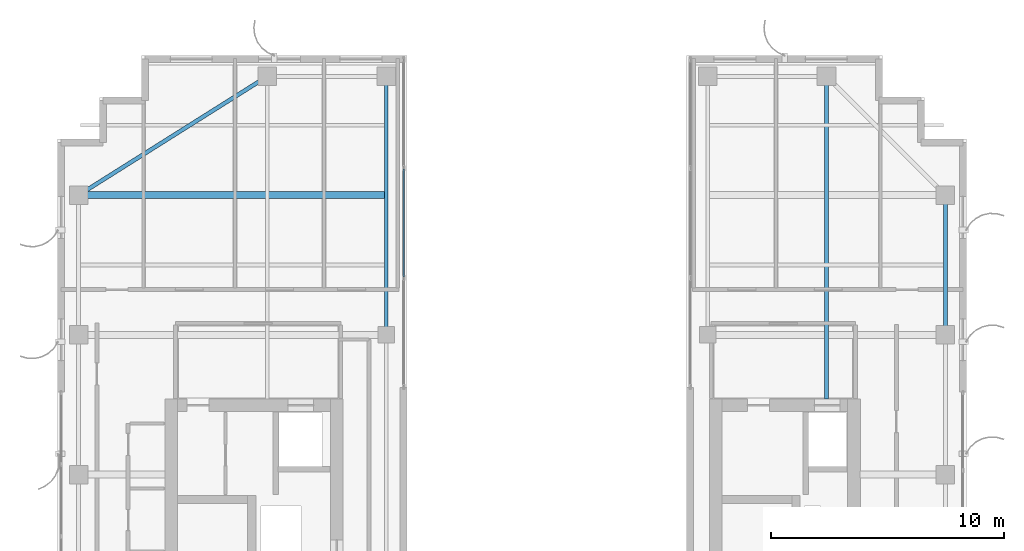
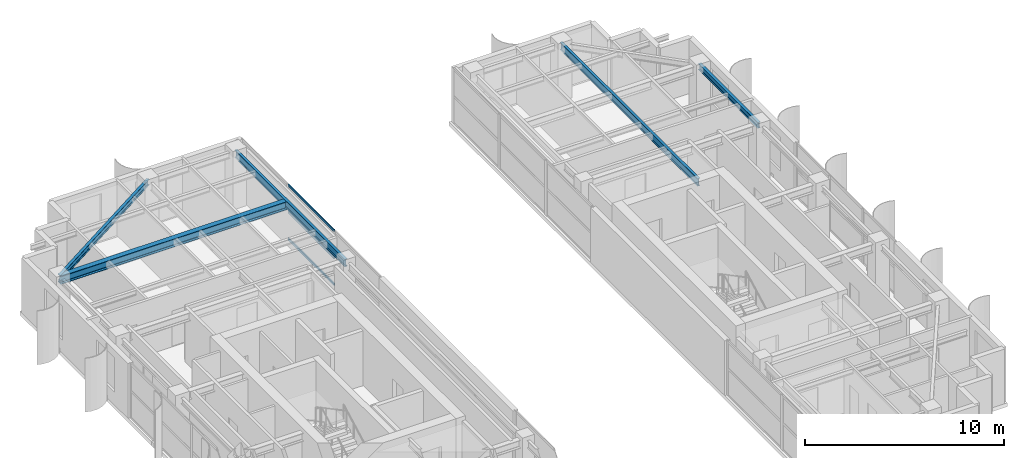
# One storey, part 14 of 24: 5 beams, 3 members, 1 element without a shape of its own.
"""IFC4 building model written with IfcOpenShell, lengths in metres."""

from ifc_helpers import new_model, si_unit, direction, frame, origin, origin_2d, place, context, subcontext, project, spatial, hollow_rectangle, i_section, extrude, source, transform, mapped, material, layer, layer_set, material_profile, profile_set, type_object, element, aggregate, save


model = new_model("IFC4")

# Units and contexts
model_context = context("Model", 3, precision=1e-05, world=origin(), true_north=direction((0.0, 1.0)))
body_context = subcontext(model_context, "Body", "Model", "MODEL_VIEW")
ifc_project = project(units=[si_unit("LENGTHUNIT", "METRE"), si_unit("AREAUNIT", "SQUARE_METRE"), si_unit("VOLUMEUNIT", "CUBIC_METRE"), si_unit("PLANEANGLEUNIT", "RADIAN"), si_unit("MASSUNIT", "GRAM", prefix="KILO")], contexts=[model_context])

# Site, building, storey
site_placement = place(None, origin())
site = spatial("IfcSite", under=ifc_project, at=site_placement, CompositionType="ELEMENT")
building_placement = place(site_placement, origin())
building = spatial("IfcBuilding", under=site, at=building_placement, Name="Khoralis Quay Care Tower", CompositionType="ELEMENT")
storey_placement = place(building_placement, frame((0.0, 0.0, 234.89990234375)))
storey = spatial("IfcBuildingStorey", under=building, at=storey_placement, Name="L61", CompositionType="ELEMENT", Elevation=234.89990234375)

# Beams
ifc_material_1 = material(Name="Steel S355", Category="steel")
ifc_material_profile_1 = material_profile(ifc_material_1, i_section(OverallWidth=0.169921875, OverallDepth=0.360107421875, WebThickness=0.008056640625, FlangeThickness=0.0126953125, FilletRadius=0.01806640625, at=origin_2d()), Name="Steel S355")
ifc_profile_set_1 = profile_set([ifc_material_profile_1], Name="Steel S355")
beam_type_1 = type_object("IfcBeamType", Name="BM-IPE360", PredefinedType="SPANDREL", material=ifc_profile_set_1)
shared_shape_1 = source(origin(), body_context, "Body", "SweptSolid", [
    extrude(i_section(OverallWidth=0.169921875, OverallDepth=0.360107421875, WebThickness=0.008056640625, FlangeThickness=0.0126953125, FilletRadius=0.01806640625, at=origin_2d()), origin(), (0.0, 0.0, 1.0), 6.0),
])
beam_1_placement = place(storey_placement, frame((41.10009765625, 30.0, 3.18017578125), z_axis=(0.0, 1.0, 0.0), x_axis=(-1.0, 0.0, 0.0)))
element("IfcBeam", 1, at=beam_1_placement, inside=storey, type_object=beam_type_1, Name="BM-TSP-L61-12", PredefinedType="SPANDREL", context=body_context, shape_type="MappedRepresentation", body=[
    mapped(shared_shape_1, transform((0.0, 0.0, 0.0), scale=1.0)),
])
shared_shape_2 = source(origin(), body_context, "Body", "SweptSolid", [
    extrude(i_section(OverallWidth=0.169921875, OverallDepth=0.360107421875, WebThickness=0.008056640625, FlangeThickness=0.0126953125, FilletRadius=0.01806640625, at=origin_2d()), origin(), (0.0, 0.0, 1.0), 9.572021484375),
])
beam_2_placement = place(storey_placement, frame((12.0, 41.10009765625, 3.18017578125), z_axis=(-0.846231136359, -0.532815975602, 0.0), x_axis=(0.532815975602, -0.846231136359, 0.0)))
element("IfcBeam", 2, at=beam_2_placement, inside=storey, type_object=beam_type_1, Name="BM-TCR-L61-15", PredefinedType="SPANDREL", context=body_context, shape_type="MappedRepresentation", body=[
    mapped(shared_shape_2, transform((0.0, 0.0, 0.0), scale=1.0)),
])
ifc_material_profile_2 = material_profile(ifc_material_1, i_section(OverallWidth=0.300048828125, OverallDepth=0.5, WebThickness=0.014404296875, FlangeThickness=0.028076171875, FilletRadius=0.027099609375, at=origin_2d()), Name="Steel S355")
ifc_profile_set_2 = profile_set([ifc_material_profile_2], Name="Steel S355")
beam_type_2 = type_object("IfcBeamType", Name="BM-HEB500", PredefinedType="BEAM", material=ifc_profile_set_2)
shared_shape_3 = source(origin(), body_context, "Body", "SweptSolid", [
    extrude(i_section(OverallWidth=0.300048828125, OverallDepth=0.5, WebThickness=0.014404296875, FlangeThickness=0.028076171875, FilletRadius=0.027099609375, at=origin_2d()), origin(), (0.0, 0.0, 1.0), 13.135009765625),
])
beam_3_placement = place(storey_placement, frame((3.89990234375, 36.0, 3.110107421875), z_axis=(1.0, 0.0, 0.0), x_axis=(0.0, 1.0, 0.0)))
element("IfcBeam", 3, at=beam_3_placement, inside=storey, type_object=beam_type_2, Name="BM-TGXW-L61-360", PredefinedType="BEAM", context=body_context, shape_type="MappedRepresentation", body=[
    mapped(shared_shape_3, transform((0.0, 0.0, 0.0), scale=1.0)),
])
ifc_material_profile_3 = material_profile(ifc_material_1, i_section(OverallWidth=0.154052734375, OverallDepth=0.458984375, WebThickness=0.009033203125, FlangeThickness=0.015380859375, FilletRadius=0.014892578125, at=origin_2d()), Name="Steel S355")
ifc_profile_set_3 = profile_set([ifc_material_profile_3], Name="Steel S355")
beam_type_3 = type_object("IfcBeamType", Name="BM-W460X68", PredefinedType="BEAM", material=ifc_profile_set_3)
shared_shape_4 = source(origin(), body_context, "Body", "SweptSolid", [
    extrude(i_section(OverallWidth=0.154052734375, OverallDepth=0.458984375, WebThickness=0.009033203125, FlangeThickness=0.015380859375, FilletRadius=0.014892578125, at=origin_2d()), origin(), (0.0, 0.0, 1.0), 11.10009765625),
])
beam_4_placement = place(storey_placement, frame((17.10009765625, 30.0, 3.130615234375), z_axis=(0.0, 1.0, 0.0), x_axis=(-1.0, 0.0, 0.0)))
element("IfcBeam", 4, at=beam_4_placement, inside=storey, type_object=beam_type_3, Name="BM-TGYN-L61-171", PredefinedType="BEAM", context=body_context, shape_type="MappedRepresentation", body=[
    mapped(shared_shape_4, transform((0.0, 0.0, 0.0), scale=1.0)),
])
shared_shape_5 = source(origin(), body_context, "Body", "SweptSolid", [
    extrude(i_section(OverallWidth=0.154052734375, OverallDepth=0.458984375, WebThickness=0.009033203125, FlangeThickness=0.015380859375, FilletRadius=0.014892578125, at=origin_2d()), origin(), (0.0, 0.0, 1.0), 13.85205078125),
])
beam_5_placement = place(storey_placement, frame((36.0, 27.248046875, 3.130615234375), z_axis=(0.0, 1.0, 0.0), x_axis=(-1.0, 0.0, 0.0)))
element("IfcBeam", 5, at=beam_5_placement, inside=storey, type_object=beam_type_3, Name="BM-TGYN-L61-360", PredefinedType="BEAM", context=body_context, shape_type="MappedRepresentation", body=[
    mapped(shared_shape_5, transform((0.0, 0.0, 0.0), scale=1.0)),
])

# Curtain wall, members
ifc_material_2 = material(Name="Pale anodised aluminium", Category="aluminium")
ifc_layer = layer(ifc_material_2, 0.18994140625)
ifc_layer_set = layer_set([ifc_layer], Name="Pale anodised aluminium")
curtain_wall_type = type_object("IfcCurtainWallType", Name="CW-SYS-PORTAL", PredefinedType="NOTDEFINED", material=ifc_layer_set)
curtain_wall_placement = place(storey_placement, origin())
curtain_wall = element("IfcCurtainWall", 6, at=curtain_wall_placement, inside=storey, type_object=curtain_wall_type, Name="L61 Unitised Curtain Wall CW-VP-L61-P1-N", PredefinedType="NOTDEFINED")
ifc_material_profile_4 = material_profile(ifc_material_2, hollow_rectangle(XDim=0.06005859375, YDim=0.139892578125, WallThickness=0.00390625, at=origin_2d()), Name="Pale anodised aluminium")
ifc_profile_set_4 = profile_set([ifc_material_profile_4], Name="Pale anodised aluminium")
member_type = type_object("IfcMemberType", Name="CW-TRN-140", PredefinedType="USERDEFINED", material=ifc_profile_set_4)
shared_shape_6 = source(origin(), body_context, "Body", "SweptSolid", [
    extrude(hollow_rectangle(XDim=0.06005859375, YDim=0.139892578125, WallThickness=0.00390625, at=origin_2d()), origin(), (0.0, 0.0, 1.0), 4.64013671875),
])
member_1_placement = place(storey_placement, frame((17.85009765625, 32.47998046875, 0.030029296875), z_axis=(0.0, 1.0, 0.0), x_axis=(-1.0, 0.0, 0.0)))
member_1 = element("IfcMember", 7, at=member_1_placement, type_object=member_type, Name="CW4 transom 2.1", ObjectType="TRANSOM", PredefinedType="USERDEFINED", context=body_context, shape_type="MappedRepresentation", body=[
    mapped(shared_shape_6, transform((0.0, 0.0, 0.0), scale=1.0)),
])
member_2_placement = place(storey_placement, frame((17.85009765625, 32.47998046875, 1.68017578125), z_axis=(0.0, 1.0, 0.0), x_axis=(-1.0, 0.0, 0.0)))
member_2 = element("IfcMember", 8, at=member_2_placement, type_object=member_type, Name="CW4 transom 2.2", ObjectType="TRANSOM", PredefinedType="USERDEFINED", context=body_context, shape_type="MappedRepresentation", body=[
    mapped(shared_shape_6, transform((0.0, 0.0, 0.0), scale=1.0)),
])
member_3_placement = place(storey_placement, frame((17.85009765625, 32.47998046875, 3.330078125), z_axis=(0.0, 1.0, 0.0), x_axis=(-1.0, 0.0, 0.0)))
member_3 = element("IfcMember", 9, at=member_3_placement, type_object=member_type, Name="CW4 transom 2.3", ObjectType="TRANSOM", PredefinedType="USERDEFINED", context=body_context, shape_type="MappedRepresentation", body=[
    mapped(shared_shape_6, transform((0.0, 0.0, 0.0), scale=1.0)),
])
aggregate(curtain_wall, [member_1, member_2, member_3])

save(model, "model.ifc")
